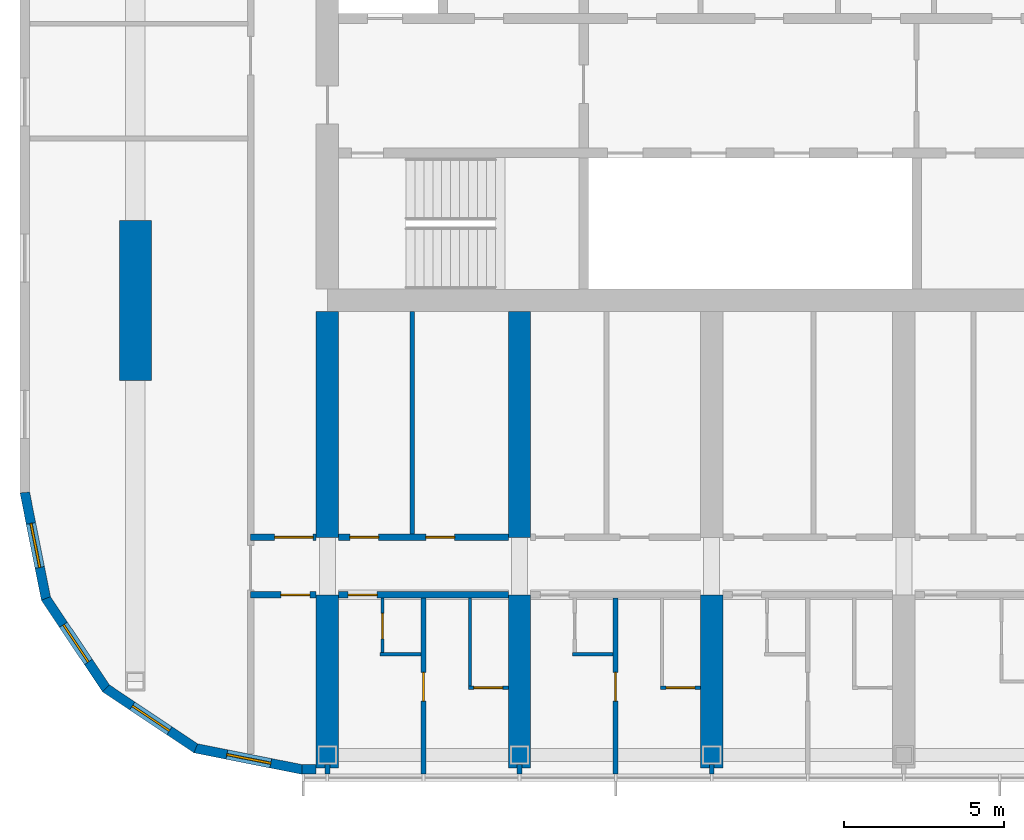
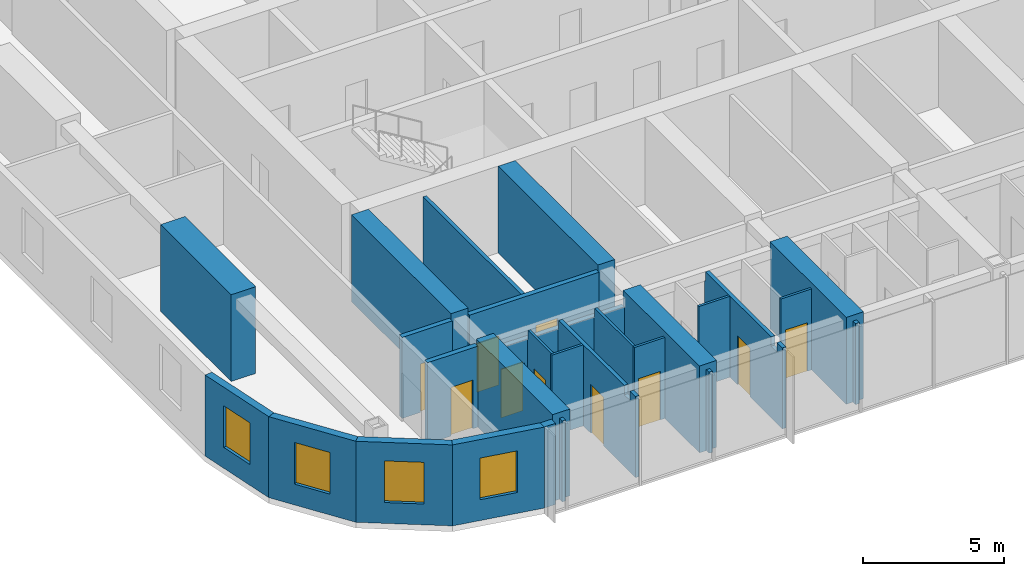
# One storey, part 10 of 24: 27 walls, 10 doors, 4 windows, 14 openings.
"""IFC4 building model written with IfcOpenShell, lengths in metres."""

import ifcopenshell
import ifcopenshell.guid

model = None  # the IFC model being written
_history = None  # IfcOwnerHistory: only IFC2X3 demands one
_inside = {}  # id of a spatial element -> (the spatial element, [elements in it])
_under = {}  # id of a project, library or spatial element -> (it, [spatial elements below it])
_declared = {}  # id of a project -> (the project, [libraries it declares])
_typed = {}  # id of a type object -> (the type object, [elements of that type])
_made_of = {}  # id of a material, layer set ... -> (it, [elements and type objects made of it])


def new_model(schema):
    """Start an empty IFC model of exactly this schema.

    Asked for "IFC4X3", IfcOpenShell would pick the latest addendum, in which some entities
    have other attributes; the version numbers below select the first issue.
    IFC2X3 requires an IfcOwnerHistory on every rooted entity: one is made here for all.
    """
    global model, _history
    if schema == "IFC4X3":
        model = ifcopenshell.file(schema_version=(4, 3, 0, 0))
    else:
        model = ifcopenshell.file(schema=schema)
    _inside.clear()
    _under.clear()
    _declared.clear()
    _typed.clear()
    _made_of.clear()
    _history = None
    if model.schema == "IFC2X3":
        org = make("IfcOrganization", Name="unknown")
        user = make(
            "IfcPersonAndOrganization",
            ThePerson=make("IfcPerson", FamilyName="unknown"),
            TheOrganization=org,
        )
        app = make(
            "IfcApplication",
            ApplicationDeveloper=org,
            Version="unknown",
            ApplicationFullName="unknown",
            ApplicationIdentifier="unknown",
        )
        _history = make(
            "IfcOwnerHistory",
            OwningUser=user,
            OwningApplication=app,
            ChangeAction="ADDED",
            CreationDate=0,
        )
    return model


def make(cls, **values):
    """One entity of the class cls with the attributes given. An attribute that is None is left unset."""
    return model.create_entity(
        cls, **{name: value for name, value in values.items() if value is not None}
    )


def rooted(cls, **values):
    """An entity with a GlobalId (a new one), such as an element, a storey or a relation."""
    return make(cls, GlobalId=ifcopenshell.guid.new(), OwnerHistory=_history, **values)


def si_unit(unit_type, name, prefix=None):
    """IfcSIUnit, for example si_unit("LENGTHUNIT", "METRE", prefix="MILLI")."""
    return make("IfcSIUnit", UnitType=unit_type, Prefix=prefix, Name=name)


def assignment(units):
    """IfcUnitAssignment: the units of a project."""
    return None if units is None else make("IfcUnitAssignment", Units=units)


def point(xyz):
    """IfcCartesianPoint."""
    return None if xyz is None else make("IfcCartesianPoint", Coordinates=xyz)


def direction(xyz):
    """IfcDirection."""
    return None if xyz is None else make("IfcDirection", DirectionRatios=xyz)


def frame(location, z_axis=None, x_axis=None):
    """IfcAxis2Placement3D, a coordinate frame: its origin and axes. An axis left out is left unset."""
    return make(
        "IfcAxis2Placement3D",
        Location=point(location),
        Axis=direction(z_axis),
        RefDirection=direction(x_axis),
    )


def frame_2d(location, x_axis=None):
    """IfcAxis2Placement2D, a coordinate frame in the plane: its origin and x axis."""
    return make(
        "IfcAxis2Placement2D", Location=point(location), RefDirection=direction(x_axis)
    )


def origin():
    """The frame at (0, 0, 0) with its axes left unset."""
    return frame((0.0, 0.0, 0.0))


def place(relative_to, where):
    """IfcLocalPlacement: puts the frame where relative to a parent placement (None: the world)."""
    return make(
        "IfcLocalPlacement", PlacementRelTo=relative_to, RelativePlacement=where
    )


def context(
    kind, dimensions, precision=None, world=None, true_north=None, identifier=None
):
    """IfcGeometricRepresentationContext, for example the 3D "Model" context."""
    return make(
        "IfcGeometricRepresentationContext",
        ContextIdentifier=identifier,
        ContextType=kind,
        CoordinateSpaceDimension=dimensions,
        Precision=precision,
        WorldCoordinateSystem=world,
        TrueNorth=true_north,
    )


def subcontext(parent, identifier, kind, view, scale=None):
    """IfcGeometricRepresentationSubContext, for example "Body" below "Model"."""
    return make(
        "IfcGeometricRepresentationSubContext",
        ContextIdentifier=identifier,
        ContextType=kind,
        ParentContext=parent,
        TargetScale=scale,
        TargetView=view,
    )


def project(units=None, contexts=None):
    """IfcProject with its units and contexts."""
    return rooted(
        "IfcProject",
        Name="project",
        RepresentationContexts=contexts,
        UnitsInContext=assignment(units),
    )


def spatial(cls, under=None, at=None, **own):
    """A site, building, storey or space (cls), placed at a placement, below another one or the project."""
    s = rooted(cls, ObjectPlacement=at, **own)
    if under is not None:
        _under.setdefault(under.id(), (under, []))[1].append(s)
    return s


def polyline(points):
    """IfcPolyline through the points."""
    return make("IfcPolyline", Points=[point(p) for p in points])


def profile(cls, at=None, kind="AREA", **sizes):
    """A parametric profile (cls). Its sizes go by their IFC names, for example OverallWidth=200.0."""
    return make(cls, ProfileType=kind, Position=at, **sizes)


def rectangle(**sizes):
    """IfcRectangleProfileDef."""
    return profile("IfcRectangleProfileDef", **sizes)


def outline(outer, holes=None, kind="AREA"):
    """IfcArbitraryClosedProfileDef: a profile drawn as a closed curve; with holes, ...WithVoids."""
    if holes is None:
        return make("IfcArbitraryClosedProfileDef", ProfileType=kind, OuterCurve=outer)
    return make(
        "IfcArbitraryProfileDefWithVoids",
        ProfileType=kind,
        OuterCurve=outer,
        InnerCurves=holes,
    )


def extrude(swept, where, along, depth):
    """IfcExtrudedAreaSolid: the profile swept, set in the frame where, extruded along a direction by depth."""
    return make(
        "IfcExtrudedAreaSolid",
        SweptArea=swept,
        Position=where,
        ExtrudedDirection=direction(along),
        Depth=depth,
    )


def shape(context_of_items, identifier, shape_type, items):
    """IfcShapeRepresentation: the items that make up one representation, for example the "Body"."""
    return make(
        "IfcShapeRepresentation",
        ContextOfItems=context_of_items,
        RepresentationIdentifier=identifier,
        RepresentationType=shape_type,
        Items=items,
    )


def material(Name=None, Category=None):
    """IfcMaterial."""
    return make("IfcMaterial", Name=Name, Category=Category)


def layer(
    of_material, thickness, ventilated=None, Name=None, Category=None, Priority=None
):
    """IfcMaterialLayer: one layer of a wall or slab, of a material (None: an air gap)."""
    return make(
        "IfcMaterialLayer",
        Material=of_material,
        LayerThickness=thickness,
        IsVentilated=ventilated,
        Name=Name,
        Category=Category,
        Priority=Priority,
    )


def layer_set(layers, Name=None):
    """IfcMaterialLayerSet."""
    return make("IfcMaterialLayerSet", MaterialLayers=layers, LayerSetName=Name)


def made_of(thing, what):
    """Note that an element or type object is made of a material, layer set ...; save() writes the relation."""
    if what is not None:
        _made_of.setdefault(what.id(), (what, []))[1].append(thing)
    return thing


def type_object(cls, material=None, **own):
    """A type object (cls), such as IfcWallType, which elements share."""
    return made_of(rooted(cls, **own), material)


def element(
    cls,
    number,
    at=None,
    inside=None,
    cuts=None,
    type_object=None,
    material=None,
    context=None,
    identifier="Body",
    shape_type=None,
    held_by="IfcProductDefinitionShape",
    body=None,
    shapes=None,
    **own,
):
    """One element of the class cls, such as IfcWall. Its Tag is "e" and its number.

    at: its placement. inside: the storey or other place that contains it. cuts: it is an
    opening in that element (IfcRelVoidsElement). A single representation is given by context,
    identifier, shape_type and body (its items); several are given by shapes. held_by: the class
    of the entity that holds the representations. save() writes the other relations.
    """
    e = rooted(cls, Tag="e%d" % number, ObjectPlacement=at, **own)
    if body is not None:
        shapes = [shape(context, identifier, shape_type, body)]
    if shapes is not None:
        e.Representation = make(held_by, Representations=shapes)
    if inside is not None:
        _inside.setdefault(inside.id(), (inside, []))[1].append(e)
    if cuts is not None:
        rooted(
            "IfcRelVoidsElement", RelatingBuildingElement=cuts, RelatedOpeningElement=e
        )
    if type_object is not None:
        _typed.setdefault(type_object.id(), (type_object, []))[1].append(e)
    return made_of(e, material)


def fill(opening, filler):
    """IfcRelFillsElement: the door or window that sits in an opening."""
    return rooted(
        "IfcRelFillsElement",
        RelatingOpeningElement=opening,
        RelatedBuildingElement=filler,
    )


def aggregate(whole, parts):
    """IfcRelAggregates: a whole, such as a stair, and the parts it consists of."""
    return rooted("IfcRelAggregates", RelatingObject=whole, RelatedObjects=parts)


def save(model, path):
    """Write the relations noted so far, then the file.

    IfcRelAggregates (storeys below a building ...), IfcRelContainedInSpatialStructure (elements
    in a storey), IfcRelDefinesByType, IfcRelAssociatesMaterial and IfcRelDeclares: one each for
    every whole, place, type object, material and project.
    """
    for whole, parts in _under.values():
        aggregate(whole, parts)
    for where, things in _inside.values():
        rooted(
            "IfcRelContainedInSpatialStructure",
            RelatedElements=things,
            RelatingStructure=where,
        )
    for kind, things in _typed.values():
        rooted("IfcRelDefinesByType", RelatedObjects=things, RelatingType=kind)
    for what, things in _made_of.values():
        rooted("IfcRelAssociatesMaterial", RelatedObjects=things, RelatingMaterial=what)
    for by, libraries in _declared.values():
        rooted("IfcRelDeclares", RelatingContext=by, RelatedDefinitions=libraries)
    model.write(path)


model = new_model("IFC4")

# Units and contexts
model_context = context("Model", 3, precision=1e-05, world=origin(), true_north=direction((0.0, 1.0)))
body_context = subcontext(model_context, "Body", "Model", "MODEL_VIEW")
ifc_project = project(units=[si_unit("LENGTHUNIT", "METRE"), si_unit("AREAUNIT", "SQUARE_METRE"), si_unit("VOLUMEUNIT", "CUBIC_METRE"), si_unit("PLANEANGLEUNIT", "RADIAN"), si_unit("MASSUNIT", "GRAM", prefix="KILO")], contexts=[model_context])

# Site, building, storey
site_placement = place(None, origin())
site = spatial("IfcSite", under=ifc_project, at=site_placement, CompositionType="ELEMENT")
building_placement = place(site_placement, origin())
building = spatial("IfcBuilding", under=site, at=building_placement, Name="Orbita Commons", CompositionType="ELEMENT")
storey_placement = place(building_placement, frame((0.0, 0.0, 239.050048828125)))
storey = spatial("IfcBuildingStorey", under=building, at=storey_placement, Name="L59", CompositionType="ELEMENT", Elevation=239.050048828125)

# Wall, opening, door
ifc_material_1 = material(Name="Concrete blockwork", Category="masonry")
ifc_layer_1 = layer(ifc_material_1, 0.199951171875)
ifc_layer_set_1 = layer_set([ifc_layer_1], Name="Concrete blockwork")
wall_type_1 = type_object("IfcWallType", Name="Corridor wall 200 blockwork", PredefinedType="SOLIDWALL", material=ifc_layer_set_1)
wall_1_placement = place(storey_placement, frame((15.60009765625, 16.60009765625, 0.0), z_axis=(0.0, 0.0, 1.0), x_axis=(1.0, 0.0, 0.0)))
wall_1 = element("IfcWall", 1, at=wall_1_placement, inside=storey, type_object=wall_type_1, Name="Corridor wall 200 blockwork L59", PredefinedType="SOLIDWALL", context=body_context, shape_type="SweptSolid", body=[
    extrude(rectangle(XDim=2.0498046875, YDim=0.199951171875, at=frame_2d((1.02490234375, 0.0))), origin(), (0.0, 0.0, 1.0), 3.5),
])
opening_1_placement = place(wall_1_placement, frame((0.949951171875, 0.0, 0.0)))
opening_1 = element("IfcOpeningElement", 2, at=opening_1_placement, cuts=wall_1, Name="Opening D05", PredefinedType="OPENING", context=body_context, shape_type="SweptSolid", body=[
    extrude(rectangle(XDim=0.89990234375, YDim=2.10009765625, at=frame_2d((0.449951171875, 1.050048828125))), frame((0.0, 0.10986328125, 0.0), z_axis=(0.0, -1.0, 0.0), x_axis=(1.0, 0.0, 0.0)), (0.0, 0.0, 1.0), 0.219970703125),
])
ifc_material_2 = material(Name="Steel-faced fire door leaf", Category="steel")
door_type_1 = type_object("IfcDoorType", Name="Service door 20 min 900x2100", OperationType="SINGLE_SWING_LEFT", PredefinedType="DOOR", material=ifc_material_2)
door_1_placement = place(opening_1_placement, origin())
door_1 = element("IfcDoor", 3, at=door_1_placement, inside=storey, type_object=door_type_1, Name="Linen store L59-KWS door", OperationType="SINGLE_SWING_LEFT", OverallHeight=2.10009765625, OverallWidth=0.89990234375, PredefinedType="DOOR", context=body_context, shape_type="SweptSolid", body=[
    extrude(rectangle(XDim=0.89990234375, YDim=2.10009765625, at=frame_2d((0.449951171875, 1.050048828125))), frame((0.0, 0.02490234375, 0.0), z_axis=(0.0, -1.0, 0.0), x_axis=(1.0, 0.0, 0.0)), (0.0, 0.0, 1.0), 0.050048828125),
])
fill(opening_1, door_1)

wall_2_placement = place(storey_placement, frame((18.35009765625, 16.60009765625, 0.0), z_axis=(0.0, 0.0, 1.0), x_axis=(1.0, 0.0, 0.0)))
wall_2 = element("IfcWall", 4, at=wall_2_placement, inside=storey, type_object=wall_type_1, Name="Corridor wall 200 blockwork L59", PredefinedType="SOLIDWALL", context=body_context, shape_type="SweptSolid", body=[
    extrude(outline(polyline([(0.0, 0.0), (5.2998046875, 0.0), (5.300048828125, 3.099853515625), (0.0, 3.099853515625), (0.0, 0.0)])), frame((0.0, 0.10009765625, 0.0), z_axis=(0.0, -1.0, 0.0), x_axis=(1.0, 0.0, 0.0)), (0.0, 0.0, 1.0), 0.199951171875),
])
opening_2_placement = place(wall_2_placement, frame((0.300048828125, 0.0, 0.0)))
opening_2 = element("IfcOpeningElement", 5, at=opening_2_placement, cuts=wall_2, Name="Opening D11", PredefinedType="OPENING", context=body_context, shape_type="SweptSolid", body=[
    extrude(rectangle(XDim=0.89990234375, YDim=2.10009765625, at=frame_2d((0.449951171875, 1.050048828125))), frame((0.0, 0.10986328125, 0.0), z_axis=(0.0, -1.0, 0.0), x_axis=(1.0, 0.0, 0.0)), (0.0, 0.0, 1.0), 0.219970703125),
])
ifc_material_3 = material(Name="Steel-faced fire door leaf", Category="steel")
door_type_2 = type_object("IfcDoorType", Name="Corridor door 20 min 900x2100", OperationType="SINGLE_SWING_LEFT", PredefinedType="DOOR", material=ifc_material_3)
door_2_placement = place(opening_2_placement, origin())
door_2 = element("IfcDoor", 6, at=door_2_placement, inside=storey, type_object=door_type_2, Name="Guest suite sitting room and kitchenette L59-S00 entrance door", OperationType="SINGLE_SWING_LEFT", OverallHeight=2.10009765625, OverallWidth=0.89990234375, PredefinedType="DOOR", context=body_context, shape_type="SweptSolid", body=[
    extrude(rectangle(XDim=0.89990234375, YDim=2.10009765625, at=frame_2d((0.449951171875, 1.050048828125))), frame((0.0, 0.02490234375, 0.0), z_axis=(0.0, -1.0, 0.0), x_axis=(1.0, 0.0, 0.0)), (0.0, 0.0, 1.0), 0.050048828125),
])
fill(opening_2, door_2)

ifc_material_4 = material(Name="Hollow concrete block 200", Category="concrete")
ifc_layer_2 = layer(ifc_material_4, 0.199951171875)
ifc_layer_set_2 = layer_set([ifc_layer_2], Name="Hollow concrete block 200")
wall_type_2 = type_object("IfcWallType", Name="Corridor wall 200 hollow concrete block", PredefinedType="SOLIDWALL", material=ifc_layer_set_2)
wall_3_placement = place(storey_placement, frame((15.60009765625, 18.39990234375, 0.0), z_axis=(0.0, 0.0, 1.0), x_axis=(1.0, 0.0, 0.0)))
wall_3 = element("IfcWall", 7, at=wall_3_placement, inside=storey, type_object=wall_type_2, Name="Corridor wall 200 hollow concrete block L59", PredefinedType="SOLIDWALL", context=body_context, shape_type="SweptSolid", body=[
    extrude(rectangle(XDim=2.0498046875, YDim=0.199951171875, at=frame_2d((1.02490234375, 0.0))), origin(), (0.0, 0.0, 1.0), 3.5),
])
opening_3_placement = place(wall_3_placement, frame((0.75, 0.0, 0.0)))
opening_3 = element("IfcOpeningElement", 8, at=opening_3_placement, cuts=wall_3, Name="Opening D12", PredefinedType="OPENING", context=body_context, shape_type="SweptSolid", body=[
    extrude(rectangle(XDim=1.199951171875, YDim=2.10009765625, at=frame_2d((0.60009765625, 1.050048828125))), frame((0.0, 0.10986328125, 0.0), z_axis=(0.0, -1.0, 0.0), x_axis=(1.0, 0.0, 0.0)), (0.0, 0.0, 1.0), 0.219970703125),
])
ifc_material_5 = material(Name="Steel-faced fire door leaf", Category="steel")
door_type_3 = type_object("IfcDoorType", Name="Double corridor door 20 min 1200x2100", OperationType="DOUBLE_DOOR_SINGLE_SWING", PredefinedType="DOOR", material=ifc_material_5)
door_3_placement = place(opening_3_placement, origin())
door_3 = element("IfcDoor", 9, at=door_3_placement, inside=storey, type_object=door_type_3, Name="Cross corridor doors", OperationType="DOUBLE_DOOR_SINGLE_SWING", OverallHeight=2.10009765625, OverallWidth=1.199951171875, PredefinedType="DOOR", context=body_context, shape_type="SweptSolid", body=[
    extrude(rectangle(XDim=1.199951171875, YDim=2.10009765625, at=frame_2d((0.60009765625, 1.050048828125))), frame((0.0, 0.02490234375, 0.0), z_axis=(0.0, -1.0, 0.0), x_axis=(1.0, 0.0, 0.0)), (0.0, 0.0, 1.0), 0.050048828125),
])
fill(opening_3, door_3)

# Wall, openings, doors
wall_4_placement = place(storey_placement, frame((18.35009765625, 18.39990234375, 0.0), z_axis=(0.0, 0.0, 1.0), x_axis=(1.0, 0.0, 0.0)))
wall_4 = element("IfcWall", 10, at=wall_4_placement, inside=storey, type_object=wall_type_2, Name="Corridor wall 200 hollow concrete block L59", PredefinedType="SOLIDWALL", context=body_context, shape_type="SweptSolid", body=[
    extrude(rectangle(XDim=5.2998046875, YDim=0.199951171875, at=frame_2d((2.64990234375, 0.0))), origin(), (0.0, 0.0, 1.0), 3.5),
])
opening_4_placement = place(wall_4_placement, frame((0.35009765625, 0.0, 0.0)))
opening_4 = element("IfcOpeningElement", 11, at=opening_4_placement, cuts=wall_4, Name="Opening D11", PredefinedType="OPENING", context=body_context, shape_type="SweptSolid", body=[
    extrude(rectangle(XDim=0.89990234375, YDim=2.10009765625, at=frame_2d((0.449951171875, 1.050048828125))), frame((0.0, 0.10986328125, 0.0), z_axis=(0.0, -1.0, 0.0), x_axis=(1.0, 0.0, 0.0)), (0.0, 0.0, 1.0), 0.219970703125),
])
opening_5_placement = place(wall_4_placement, frame((2.72509765625, 0.0, 0.0)))
opening_5 = element("IfcOpeningElement", 12, at=opening_5_placement, cuts=wall_4, Name="Opening D11", PredefinedType="OPENING", context=body_context, shape_type="SweptSolid", body=[
    extrude(rectangle(XDim=0.89990234375, YDim=2.10009765625, at=frame_2d((0.449951171875, 1.050048828125))), frame((0.0, 0.10986328125, 0.0), z_axis=(0.0, -1.0, 0.0), x_axis=(1.0, 0.0, 0.0)), (0.0, 0.0, 1.0), 0.219970703125),
])
door_4_placement = place(opening_4_placement, origin())
door_4 = element("IfcDoor", 13, at=door_4_placement, inside=storey, type_object=door_type_2, Name="Accessible WC and shower room L59-BDS18n door", OperationType="SINGLE_SWING_LEFT", OverallHeight=2.10009765625, OverallWidth=0.89990234375, PredefinedType="DOOR", context=body_context, shape_type="SweptSolid", body=[
    extrude(rectangle(XDim=0.89990234375, YDim=2.10009765625, at=frame_2d((0.449951171875, 1.050048828125))), frame((0.0, 0.02490234375, 0.0), z_axis=(0.0, -1.0, 0.0), x_axis=(1.0, 0.0, 0.0)), (0.0, 0.0, 1.0), 0.050048828125),
])
fill(opening_4, door_4)
door_5_placement = place(opening_5_placement, origin())
door_5 = element("IfcDoor", 14, at=door_5_placement, inside=storey, type_object=door_type_2, Name="Interview room L59-BDS18 door", OperationType="SINGLE_SWING_LEFT", OverallHeight=2.10009765625, OverallWidth=0.89990234375, PredefinedType="DOOR", context=body_context, shape_type="SweptSolid", body=[
    extrude(rectangle(XDim=0.89990234375, YDim=2.10009765625, at=frame_2d((0.449951171875, 1.050048828125))), frame((0.0, 0.02490234375, 0.0), z_axis=(0.0, -1.0, 0.0), x_axis=(1.0, 0.0, 0.0)), (0.0, 0.0, 1.0), 0.050048828125),
])
fill(opening_5, door_5)

# Walls
ifc_material_6 = material(Name="Concrete C50/60", Category="concrete")
ifc_layer_3 = layer(ifc_material_6, 0.699951171875)
ifc_layer_set_3 = layer_set([ifc_layer_3], Name="Concrete C50/60")
wall_type_3 = type_object("IfcWallType", Name="Cross wall 700 C50/60", PredefinedType="SHEAR", material=ifc_layer_set_3)
wall_5_placement = place(storey_placement, frame((18.0, 11.199951171875, 0.0), z_axis=(0.0, 0.0, 1.0), x_axis=(0.0, 1.0, 0.0)))
element("IfcWall", 15, at=wall_5_placement, inside=storey, type_object=wall_type_3, Name="Cross wall 4 south outer L59", PredefinedType="SHEAR", context=body_context, shape_type="SweptSolid", body=[
    extrude(rectangle(XDim=5.400146484375, YDim=0.699951171875, at=frame_2d((2.7001953125, 0.0))), origin(), (0.0, 0.0, 1.0), 3.75),
])
wall_6_placement = place(storey_placement, frame((18.0, 18.39990234375, 0.0), z_axis=(0.0, 0.0, 1.0), x_axis=(0.0, 1.0, 0.0)))
element("IfcWall", 16, at=wall_6_placement, inside=storey, type_object=wall_type_3, Name="Cross wall 4 south inner L59", PredefinedType="SHEAR", context=body_context, shape_type="SweptSolid", body=[
    extrude(rectangle(XDim=7.050048828125, YDim=0.699951171875, at=frame_2d((3.52490234375, 0.0))), origin(), (0.0, 0.0, 1.0), 3.75),
])
wall_7_placement = place(storey_placement, frame((24.0, 11.199951171875, 0.0), z_axis=(0.0, 0.0, 1.0), x_axis=(0.0, 1.0, 0.0)))
element("IfcWall", 17, at=wall_7_placement, inside=storey, type_object=wall_type_3, Name="Cross wall 5 south outer L59", PredefinedType="SHEAR", context=body_context, shape_type="SweptSolid", body=[
    extrude(rectangle(XDim=5.400146484375, YDim=0.699951171875, at=frame_2d((2.7001953125, 0.0))), origin(), (0.0, 0.0, 1.0), 3.75),
])
wall_8_placement = place(storey_placement, frame((24.0, 18.39990234375, 0.0), z_axis=(0.0, 0.0, 1.0), x_axis=(0.0, 1.0, 0.0)))
element("IfcWall", 18, at=wall_8_placement, inside=storey, type_object=wall_type_3, Name="Cross wall 5 south inner L59", PredefinedType="SHEAR", context=body_context, shape_type="SweptSolid", body=[
    extrude(rectangle(XDim=7.050048828125, YDim=0.699951171875, at=frame_2d((3.52490234375, 0.0))), origin(), (0.0, 0.0, 1.0), 3.75),
])
wall_9_placement = place(storey_placement, frame((30.0, 11.199951171875, 0.0), z_axis=(0.0, 0.0, 1.0), x_axis=(0.0, 1.0, 0.0)))
element("IfcWall", 19, at=wall_9_placement, inside=storey, type_object=wall_type_3, Name="Cross wall 6 south outer L59", PredefinedType="SHEAR", context=body_context, shape_type="SweptSolid", body=[
    extrude(rectangle(XDim=5.400146484375, YDim=0.699951171875, at=frame_2d((2.7001953125, 0.0))), origin(), (0.0, 0.0, 1.0), 3.75),
])

# Wall, opening, door
ifc_material_7 = material(Name="Moisture-resistant plasterboard on steel studs", Category="steel")
ifc_layer_4 = layer(ifc_material_7, 0.10009765625)
ifc_layer_set_4 = layer_set([ifc_layer_4], Name="Moisture-resistant plasterboard on steel studs")
wall_type_4 = type_object("IfcWallType", Name="En-suite partition 100", PredefinedType="PARTITIONING", material=ifc_layer_set_4)
wall_10_placement = place(storey_placement, frame((23.64990234375, 13.699951171875, 0.0), z_axis=(0.0, 0.0, 1.0), x_axis=(-1.0, 0.0, 0.0)))
wall_10 = element("IfcWall", 20, at=wall_10_placement, inside=storey, type_object=wall_type_4, Name="En-suite partition 100 L59", PredefinedType="PARTITIONING", context=body_context, shape_type="SweptSolid", body=[
    extrude(rectangle(XDim=1.25, YDim=0.10009765625, at=frame_2d((0.625, 0.0))), origin(), (0.0, 0.0, 1.0), 3.5),
])
opening_6_placement = place(wall_10_placement, frame((0.175048828125, 0.0, 0.0)))
opening_6 = element("IfcOpeningElement", 21, at=opening_6_placement, cuts=wall_10, Name="Opening D09", PredefinedType="OPENING", context=body_context, shape_type="SweptSolid", body=[
    extrude(rectangle(XDim=0.89990234375, YDim=2.10009765625, at=frame_2d((0.449951171875, 1.050048828125))), frame((0.0, 0.06005859375, 0.0), z_axis=(0.0, -1.0, 0.0), x_axis=(1.0, 0.0, 0.0)), (0.0, 0.0, 1.0), 0.1201171875),
])
ifc_material_8 = material(Name="Laminated timber door leaf", Category="wood")
door_type_4 = type_object("IfcDoorType", Name="En-suite door 900x2100", OperationType="SINGLE_SWING_RIGHT", PredefinedType="DOOR", material=ifc_material_8)
door_6_placement = place(opening_6_placement, origin())
door_6 = element("IfcDoor", 22, at=door_6_placement, inside=storey, type_object=door_type_4, Name="En-suite L59-S01 door", OperationType="SINGLE_SWING_RIGHT", OverallHeight=2.10009765625, OverallWidth=0.89990234375, PredefinedType="DOOR", context=body_context, shape_type="SweptSolid", body=[
    extrude(rectangle(XDim=0.89990234375, YDim=2.10009765625, at=frame_2d((0.449951171875, 1.050048828125))), frame((0.0, 0.02490234375, 0.0), z_axis=(0.0, -1.0, 0.0), x_axis=(1.0, 0.0, 0.0)), (0.0, 0.0, 1.0), 0.050048828125),
])
fill(opening_6, door_6)

# Walls
wall_11_placement = place(storey_placement, frame((22.449951171875, 13.75, 0.0), z_axis=(0.0, 0.0, 1.0), x_axis=(0.0, 1.0, 0.0)))
element("IfcWall", 23, at=wall_11_placement, inside=storey, type_object=wall_type_4, Name="En-suite partition 100 L59", PredefinedType="PARTITIONING", context=body_context, shape_type="SweptSolid", body=[
    extrude(outline(polyline([(0.0, 0.0), (2.75, 0.0), (2.75, 3.099853515625), (2.701904296875, 3.099853515625), (2.699951171875, 3.5), (0.0, 3.5), (0.0, 0.0)])), frame((0.0, 0.050048828125, 0.0), z_axis=(0.0, -1.0, 0.0), x_axis=(1.0, 0.0, 0.0)), (0.0, 0.0, 1.0), 0.10009765625),
])
wall_12_placement = place(storey_placement, frame((19.64990234375, 14.75, 0.0), z_axis=(0.0, 0.0, 1.0), x_axis=(1.0, 0.0, 0.0)))
element("IfcWall", 24, at=wall_12_placement, inside=storey, type_object=wall_type_4, Name="En-suite partition 100 L59", PredefinedType="PARTITIONING", context=body_context, shape_type="SweptSolid", body=[
    extrude(rectangle(XDim=1.275146484375, YDim=0.10009765625, at=frame_2d((0.6376953125, 0.0))), origin(), (0.0, 0.0, 1.0), 3.5),
])

# Wall, opening, door
wall_13_placement = place(storey_placement, frame((19.72509765625, 14.75, 0.0), z_axis=(0.0, 0.0, 1.0), x_axis=(0.0, 1.0, 0.0)))
wall_13 = element("IfcWall", 25, at=wall_13_placement, inside=storey, type_object=wall_type_4, Name="En-suite partition 100 L59", PredefinedType="PARTITIONING", context=body_context, shape_type="SweptSolid", body=[
    extrude(outline(polyline([(0.0, 0.0), (1.75, 0.0), (1.75, 3.099853515625), (1.701904296875, 3.099853515625), (1.699951171875, 3.5), (0.0, 3.5), (0.0, 0.0)])), frame((0.0, 0.050048828125, 0.0), z_axis=(0.0, -1.0, 0.0), x_axis=(1.0, 0.0, 0.0)), (0.0, 0.0, 1.0), 0.10009765625),
])
opening_7_placement = place(wall_13_placement, frame((0.47509765625, 0.0, 0.0)))
opening_7 = element("IfcOpeningElement", 26, at=opening_7_placement, cuts=wall_13, Name="Opening D16", PredefinedType="OPENING", context=body_context, shape_type="SweptSolid", body=[
    extrude(rectangle(XDim=0.800048828125, YDim=2.10009765625, at=frame_2d((0.39990234375, 1.050048828125))), frame((0.0, 0.06005859375, 0.0), z_axis=(0.0, -1.0, 0.0), x_axis=(1.0, 0.0, 0.0)), (0.0, 0.0, 1.0), 0.1201171875),
])
ifc_material_9 = material(Name="Laminated timber door leaf", Category="wood")
door_type_5 = type_object("IfcDoorType", Name="En-suite door 800x2100", OperationType="SINGLE_SWING_RIGHT", PredefinedType="DOOR", material=ifc_material_9)
door_7_placement = place(opening_7_placement, origin())
door_7 = element("IfcDoor", 27, at=door_7_placement, inside=storey, type_object=door_type_5, Name="Guest suite WC L59-S00 door", OperationType="SINGLE_SWING_RIGHT", OverallHeight=2.10009765625, OverallWidth=0.800048828125, PredefinedType="DOOR", context=body_context, shape_type="SweptSolid", body=[
    extrude(rectangle(XDim=0.800048828125, YDim=2.10009765625, at=frame_2d((0.39990234375, 1.050048828125))), frame((0.0, 0.02490234375, 0.0), z_axis=(0.0, -1.0, 0.0), x_axis=(1.0, 0.0, 0.0)), (0.0, 0.0, 1.0), 0.050048828125),
])
fill(opening_7, door_7)

wall_14_placement = place(storey_placement, frame((29.64990234375, 13.699951171875, 0.0), z_axis=(0.0, 0.0, 1.0), x_axis=(-1.0, 0.0, 0.0)))
wall_14 = element("IfcWall", 28, at=wall_14_placement, inside=storey, type_object=wall_type_4, Name="En-suite partition 100 L59", PredefinedType="PARTITIONING", context=body_context, shape_type="SweptSolid", body=[
    extrude(rectangle(XDim=1.25, YDim=0.10009765625, at=frame_2d((0.625, 0.0))), origin(), (0.0, 0.0, 1.0), 3.5),
])
opening_8_placement = place(wall_14_placement, frame((0.175048828125, 0.0, 0.0)))
opening_8 = element("IfcOpeningElement", 29, at=opening_8_placement, cuts=wall_14, Name="Opening D09", PredefinedType="OPENING", context=body_context, shape_type="SweptSolid", body=[
    extrude(rectangle(XDim=0.89990234375, YDim=2.10009765625, at=frame_2d((0.449951171875, 1.050048828125))), frame((0.0, 0.06005859375, 0.0), z_axis=(0.0, -1.0, 0.0), x_axis=(1.0, 0.0, 0.0)), (0.0, 0.0, 1.0), 0.1201171875),
])
door_8_placement = place(opening_8_placement, origin())
door_8 = element("IfcDoor", 30, at=door_8_placement, inside=storey, type_object=door_type_4, Name="En-suite L59-S03 door", OperationType="SINGLE_SWING_RIGHT", OverallHeight=2.10009765625, OverallWidth=0.89990234375, PredefinedType="DOOR", context=body_context, shape_type="SweptSolid", body=[
    extrude(rectangle(XDim=0.89990234375, YDim=2.10009765625, at=frame_2d((0.449951171875, 1.050048828125))), frame((0.0, 0.02490234375, 0.0), z_axis=(0.0, -1.0, 0.0), x_axis=(1.0, 0.0, 0.0)), (0.0, 0.0, 1.0), 0.050048828125),
])
fill(opening_8, door_8)

# Walls
wall_15_placement = place(storey_placement, frame((25.64990234375, 14.75, 0.0), z_axis=(0.0, 0.0, 1.0), x_axis=(1.0, 0.0, 0.0)))
element("IfcWall", 31, at=wall_15_placement, inside=storey, type_object=wall_type_4, Name="En-suite partition 100 L59", PredefinedType="PARTITIONING", context=body_context, shape_type="SweptSolid", body=[
    extrude(rectangle(XDim=1.275146484375, YDim=0.10009765625, at=frame_2d((0.6376953125, 0.0))), origin(), (0.0, 0.0, 1.0), 3.5),
])
ifc_material_10 = material(Name="Concrete C50/60", Category="concrete")
ifc_layer_5 = layer(ifc_material_10, 1.0)
ifc_layer_set_5 = layer_set([ifc_layer_5], Name="Concrete C50/60")
wall_type_5 = type_object("IfcWallType", Name="End pier 1000x5000 C50/60", PredefinedType="SHEAR", material=ifc_layer_set_5)
wall_16_placement = place(storey_placement, frame((12.0, 23.300048828125, 0.0), z_axis=(0.0, 0.0, 1.0), x_axis=(0.0, 1.0, 0.0)))
element("IfcWall", 32, at=wall_16_placement, inside=storey, type_object=wall_type_5, Name="End pier 3/C L59", PredefinedType="SHEAR", context=body_context, shape_type="SweptSolid", body=[
    extrude(rectangle(XDim=5.0, YDim=1.0, at=frame_2d((2.5, 0.0))), origin(), (0.0, 0.0, 1.0), 3.75),
])

# Wall, opening, door
ifc_material_11 = material(Name="Gypsum plasterboard on steel studs", Category="steel")
ifc_layer_6 = layer(ifc_material_11, 0.14990234375)
ifc_layer_set_6 = layer_set([ifc_layer_6], Name="Gypsum plasterboard on steel studs")
wall_type_6 = type_object("IfcWallType", Name="Partition 150 plasterboard", PredefinedType="PARTITIONING", material=ifc_layer_set_6)
wall_17_placement = place(storey_placement, frame((21.0, 11.010009765625, 0.0), z_axis=(0.0, 0.0, 1.0), x_axis=(0.0, 1.0, 0.0)))
wall_17 = element("IfcWall", 33, at=wall_17_placement, inside=storey, type_object=wall_type_6, Name="Partition 150 plasterboard L59", PredefinedType="PARTITIONING", context=body_context, shape_type="SweptSolid", body=[
    extrude(outline(polyline([(0.0, 0.0), (5.489990234375, 0.0), (5.489990234375, 3.099853515625), (5.44189453125, 3.099853515625), (5.43994140625, 3.5), (0.7919921875, 3.5), (0.7900390625, 3.099853515625), (0.39208984375, 3.099853515625), (0.389892578125, 3.5), (0.0, 3.5), (0.0, 0.0)])), frame((0.0, 0.074951171875, 0.0), z_axis=(0.0, -1.0, 0.0), x_axis=(1.0, 0.0, 0.0)), (0.0, 0.0, 1.0), 0.14990234375),
])
opening_9_placement = place(wall_17_placement, frame((2.27001953125, 0.0, 0.0)))
opening_9 = element("IfcOpeningElement", 34, at=opening_9_placement, cuts=wall_17, Name="Opening D09", PredefinedType="OPENING", context=body_context, shape_type="SweptSolid", body=[
    extrude(rectangle(XDim=0.89990234375, YDim=2.10009765625, at=frame_2d((0.449951171875, 1.050048828125))), frame((0.0, 0.0849609375, 0.0), z_axis=(0.0, -1.0, 0.0), x_axis=(1.0, 0.0, 0.0)), (0.0, 0.0, 1.0), 0.169921875),
])
door_9_placement = place(opening_9_placement, origin())
door_9 = element("IfcDoor", 35, at=door_9_placement, inside=storey, type_object=door_type_4, Name="Guest suite bedroom L59-S00 door", OperationType="SINGLE_SWING_RIGHT", OverallHeight=2.10009765625, OverallWidth=0.89990234375, PredefinedType="DOOR", context=body_context, shape_type="SweptSolid", body=[
    extrude(rectangle(XDim=0.89990234375, YDim=2.10009765625, at=frame_2d((0.449951171875, 1.050048828125))), frame((0.0, 0.02490234375, 0.0), z_axis=(0.0, -1.0, 0.0), x_axis=(1.0, 0.0, 0.0)), (0.0, 0.0, 1.0), 0.050048828125),
])
fill(opening_9, door_9)

wall_18_placement = place(storey_placement, frame((27.0, 11.010009765625, 0.0), z_axis=(0.0, 0.0, 1.0), x_axis=(0.0, 1.0, 0.0)))
wall_18 = element("IfcWall", 36, at=wall_18_placement, inside=storey, type_object=wall_type_6, Name="Partition 150 plasterboard L59", PredefinedType="PARTITIONING", context=body_context, shape_type="SweptSolid", body=[
    extrude(outline(polyline([(0.0, 0.0), (5.489990234375, 0.0), (5.489990234375, 3.099853515625), (5.44189453125, 3.099853515625), (5.43994140625, 3.5), (0.7919921875, 3.5), (0.7900390625, 3.099853515625), (0.39208984375, 3.099853515625), (0.389892578125, 3.5), (0.0, 3.5), (0.0, 0.0)])), frame((0.0, 0.074951171875, 0.0), z_axis=(0.0, -1.0, 0.0), x_axis=(1.0, 0.0, 0.0)), (0.0, 0.0, 1.0), 0.14990234375),
])
opening_10_placement = place(wall_18_placement, frame((2.27001953125, 0.0, 0.0)))
opening_10 = element("IfcOpeningElement", 37, at=opening_10_placement, cuts=wall_18, Name="Opening D09", PredefinedType="OPENING", context=body_context, shape_type="SweptSolid", body=[
    extrude(rectangle(XDim=0.89990234375, YDim=2.10009765625, at=frame_2d((0.449951171875, 1.050048828125))), frame((0.0, 0.0849609375, 0.0), z_axis=(0.0, -1.0, 0.0), x_axis=(1.0, 0.0, 0.0)), (0.0, 0.0, 1.0), 0.169921875),
])
door_10_placement = place(opening_10_placement, origin())
door_10 = element("IfcDoor", 38, at=door_10_placement, inside=storey, type_object=door_type_4, Name="Guest suite bedroom L59-S02 door", OperationType="SINGLE_SWING_RIGHT", OverallHeight=2.10009765625, OverallWidth=0.89990234375, PredefinedType="DOOR", context=body_context, shape_type="SweptSolid", body=[
    extrude(rectangle(XDim=0.89990234375, YDim=2.10009765625, at=frame_2d((0.449951171875, 1.050048828125))), frame((0.0, 0.02490234375, 0.0), z_axis=(0.0, -1.0, 0.0), x_axis=(1.0, 0.0, 0.0)), (0.0, 0.0, 1.0), 0.050048828125),
])
fill(opening_10, door_10)

# Walls
wall_19_placement = place(storey_placement, frame((20.64990234375, 18.5, 0.0), z_axis=(0.0, 0.0, 1.0), x_axis=(0.0, 1.0, 0.0)))
element("IfcWall", 39, at=wall_19_placement, inside=storey, type_object=wall_type_6, Name="Partition 150 plasterboard L59", PredefinedType="PARTITIONING", context=body_context, shape_type="SweptSolid", body=[
    extrude(rectangle(XDim=6.949951171875, YDim=0.14990234375, at=frame_2d((3.47509765625, 0.0))), origin(), (0.0, 0.0, 1.0), 3.5),
])
for number, where, z_axis, x_axis, name in (
    (40, (18.0, 11.300048828125, 0.0), (0.0, 0.0, 1.0), (0.0, -1.0, 0.0), "Partition 150 plasterboard L59"),
    (41, (24.0, 11.300048828125, 0.0), (0.0, 0.0, 1.0), (0.0, -1.0, 0.0), "Partition 150 plasterboard L59"),
    (42, (30.0, 11.300048828125, 0.0), (0.0, 0.0, 1.0), (0.0, -1.0, 0.0), "Partition 150 plasterboard L59"),
):
    element("IfcWall", number, at=place(storey_placement, frame(where, z_axis=z_axis, x_axis=x_axis)), inside=storey, type_object=wall_type_6, Name=name, PredefinedType="PARTITIONING", context=body_context, shape_type="SweptSolid", body=[
        extrude(rectangle(XDim=0.2900390625, YDim=0.14990234375, at=frame_2d((0.14501953125, 0.0))), origin(), (0.0, 0.0, 1.0), 3.5),
    ])

# Wall, opening, window
ifc_material_12 = material(Name="Precast concrete C40/50, white board-marked finish", Category="concrete")
ifc_layer_7 = layer(ifc_material_12, 0.300048828125)
ifc_layer_set_7 = layer_set([ifc_layer_7], Name="Precast concrete C40/50, white board-marked finish")
wall_type_7 = type_object("IfcWallType", Name="Precast concrete end shield 300", PredefinedType="SOLIDWALL", material=ifc_layer_set_7)
wall_20_placement = place(storey_placement, frame((8.550048828125, 19.800048828125, 0.0), z_axis=(0.0, 0.0, 1.0), x_axis=(0.19508664885, -0.980786011034, 0.0)))
wall_20 = element("IfcWall", 43, at=wall_20_placement, inside=storey, type_object=wall_type_7, Name="End shield SW chord 1 L59", PredefinedType="SOLIDWALL", context=body_context, shape_type="SweptSolid", body=[
    extrude(outline(polyline([(-0.014892578125, -0.14990234375), (3.405029296875, -0.14990234375), (3.345458984375, 0.14990234375), (0.014892578125, 0.14990234375), (-0.014892578125, -0.14990234375)])), origin(), (0.0, 0.0, 1.0), 3.5),
])
opening_11_placement = place(wall_20_placement, frame((0.987548828125, 0.0, 0.89990234375)))
opening_11 = element("IfcOpeningElement", 44, at=opening_11_placement, cuts=wall_20, Name="Opening W02", PredefinedType="OPENING", context=body_context, shape_type="SweptSolid", body=[
    extrude(rectangle(XDim=1.39990234375, YDim=1.800048828125, at=frame_2d((0.699951171875, 0.89990234375))), frame((0.0, 0.159912109375, 0.0), z_axis=(0.0, -1.0, 0.0), x_axis=(1.0, 0.0, 0.0)), (0.0, 0.0, 1.0), 0.320068359375),
])
ifc_material_13 = material(Name="Aluminium frame, clear double glazing", Category="aluminium")
window_type = type_object("IfcWindowType", Name="Deep-set window 1400x1800", PartitioningType="SINGLE_PANEL", PredefinedType="WINDOW", material=ifc_material_13)
window_1_placement = place(opening_11_placement, origin())
window_1 = element("IfcWindow", 45, at=window_1_placement, inside=storey, type_object=window_type, Name="Window L59-SW0", OverallHeight=1.800048828125, OverallWidth=1.39990234375, PartitioningType="SINGLE_PANEL", PredefinedType="WINDOW", context=body_context, shape_type="SweptSolid", body=[
    extrude(rectangle(XDim=1.39990234375, YDim=1.800048828125, at=frame_2d((0.699951171875, 0.89990234375))), frame((0.0, 0.030029296875, 0.0), z_axis=(0.0, -1.0, 0.0), x_axis=(1.0, 0.0, 0.0)), (0.0, 0.0, 1.0), 0.06005859375),
])
fill(opening_11, window_1)

wall_21_placement = place(storey_placement, frame((9.20849609375, 16.48974609375, 0.0), z_axis=(0.0, 0.0, 1.0), x_axis=(0.555567969291, -0.831471124873, 0.0)))
wall_21 = element("IfcWall", 46, at=wall_21_placement, inside=storey, type_object=wall_type_7, Name="End shield SW chord 2 L59", PredefinedType="SOLIDWALL", context=body_context, shape_type="SweptSolid", body=[
    extrude(outline(polyline([(-0.02978515625, -0.14990234375), (3.40478515625, -0.14990234375), (3.34521484375, 0.14990234375), (0.02978515625, 0.14990234375), (-0.02978515625, -0.14990234375)])), origin(), (0.0, 0.0, 1.0), 3.5),
])
opening_12_placement = place(wall_21_placement, frame((0.987548828125, 0.0, 0.89990234375)))
opening_12 = element("IfcOpeningElement", 47, at=opening_12_placement, cuts=wall_21, Name="Opening W02", PredefinedType="OPENING", context=body_context, shape_type="SweptSolid", body=[
    extrude(rectangle(XDim=1.39990234375, YDim=1.800048828125, at=frame_2d((0.699951171875, 0.89990234375))), frame((0.0, 0.159912109375, 0.0), z_axis=(0.0, -1.0, 0.0), x_axis=(1.0, 0.0, 0.0)), (0.0, 0.0, 1.0), 0.320068359375),
])
window_2_placement = place(opening_12_placement, origin())
window_2 = element("IfcWindow", 48, at=window_2_placement, inside=storey, type_object=window_type, Name="Window L59-SW1", OverallHeight=1.800048828125, OverallWidth=1.39990234375, PartitioningType="SINGLE_PANEL", PredefinedType="WINDOW", context=body_context, shape_type="SweptSolid", body=[
    extrude(rectangle(XDim=1.39990234375, YDim=1.800048828125, at=frame_2d((0.699951171875, 0.89990234375))), frame((0.0, 0.030029296875, 0.0), z_axis=(0.0, -1.0, 0.0), x_axis=(1.0, 0.0, 0.0)), (0.0, 0.0, 1.0), 0.06005859375),
])
fill(opening_12, window_2)

wall_22_placement = place(storey_placement, frame((11.08349609375, 13.68359375, 0.0), z_axis=(0.0, 0.0, 1.0), x_axis=(0.831460037396, -0.555584562613, 0.0)))
wall_22 = element("IfcWall", 49, at=wall_22_placement, inside=storey, type_object=wall_type_7, Name="End shield SW chord 3 L59", PredefinedType="SOLIDWALL", context=body_context, shape_type="SweptSolid", body=[
    extrude(outline(polyline([(-0.02978515625, -0.14990234375), (3.405029296875, -0.14990234375), (3.345458984375, 0.14990234375), (0.02978515625, 0.14990234375), (-0.02978515625, -0.14990234375)])), origin(), (0.0, 0.0, 1.0), 3.5),
])
opening_13_placement = place(wall_22_placement, frame((0.987548828125, 0.0, 0.89990234375)))
opening_13 = element("IfcOpeningElement", 50, at=opening_13_placement, cuts=wall_22, Name="Opening W02", PredefinedType="OPENING", context=body_context, shape_type="SweptSolid", body=[
    extrude(rectangle(XDim=1.39990234375, YDim=1.800048828125, at=frame_2d((0.699951171875, 0.89990234375))), frame((0.0, 0.159912109375, 0.0), z_axis=(0.0, -1.0, 0.0), x_axis=(1.0, 0.0, 0.0)), (0.0, 0.0, 1.0), 0.320068359375),
])
window_3_placement = place(opening_13_placement, origin())
window_3 = element("IfcWindow", 51, at=window_3_placement, inside=storey, type_object=window_type, Name="Window L59-SW2", OverallHeight=1.800048828125, OverallWidth=1.39990234375, PartitioningType="SINGLE_PANEL", PredefinedType="WINDOW", context=body_context, shape_type="SweptSolid", body=[
    extrude(rectangle(XDim=1.39990234375, YDim=1.800048828125, at=frame_2d((0.699951171875, 0.89990234375))), frame((0.0, 0.030029296875, 0.0), z_axis=(0.0, -1.0, 0.0), x_axis=(1.0, 0.0, 0.0)), (0.0, 0.0, 1.0), 0.06005859375),
])
fill(opening_13, window_3)

wall_23_placement = place(storey_placement, frame((13.889892578125, 11.808349609375, 0.0), z_axis=(0.0, 0.0, 1.0), x_axis=(0.98078325777, -0.195100490205, 0.0)))
wall_23 = element("IfcWall", 52, at=wall_23_placement, inside=storey, type_object=wall_type_7, Name="End shield SW chord 4 L59", PredefinedType="SOLIDWALL", context=body_context, shape_type="SweptSolid", body=[
    extrude(outline(polyline([(-0.02978515625, -0.14990234375), (3.40478515625, -0.14990234375), (3.34521484375, 0.14990234375), (0.02978515625, 0.14990234375), (-0.02978515625, -0.14990234375)])), origin(), (0.0, 0.0, 1.0), 3.5),
])
opening_14_placement = place(wall_23_placement, frame((0.987548828125, 0.0, 0.89990234375)))
opening_14 = element("IfcOpeningElement", 53, at=opening_14_placement, cuts=wall_23, Name="Opening W02", PredefinedType="OPENING", context=body_context, shape_type="SweptSolid", body=[
    extrude(rectangle(XDim=1.39990234375, YDim=1.800048828125, at=frame_2d((0.699951171875, 0.89990234375))), frame((0.0, 0.159912109375, 0.0), z_axis=(0.0, -1.0, 0.0), x_axis=(1.0, 0.0, 0.0)), (0.0, 0.0, 1.0), 0.320068359375),
])
window_4_placement = place(opening_14_placement, origin())
window_4 = element("IfcWindow", 54, at=window_4_placement, inside=storey, type_object=window_type, Name="Window L59-SW3", OverallHeight=1.800048828125, OverallWidth=1.39990234375, PartitioningType="SINGLE_PANEL", PredefinedType="WINDOW", context=body_context, shape_type="SweptSolid", body=[
    extrude(rectangle(XDim=1.39990234375, YDim=1.800048828125, at=frame_2d((0.699951171875, 0.89990234375))), frame((0.0, 0.030029296875, 0.0), z_axis=(0.0, -1.0, 0.0), x_axis=(1.0, 0.0, 0.0)), (0.0, 0.0, 1.0), 0.06005859375),
])
fill(opening_14, window_4)

# Wall
wall_24_placement = place(storey_placement, frame((17.199951171875, 11.14990234375, 0.0), z_axis=(0.0, 0.0, 1.0), x_axis=(1.0, 0.0, 0.0)))
element("IfcWall", 55, at=wall_24_placement, inside=storey, type_object=wall_type_7, Name="End shield SW closer L59", PredefinedType="SOLIDWALL", context=body_context, shape_type="SweptSolid", body=[
    extrude(rectangle(XDim=0.449951171875, YDim=0.300048828125, at=frame_2d((0.22509765625, 0.0))), origin(), (0.0, 0.0, 1.0), 3.5),
])

save(model, "model.ifc")
